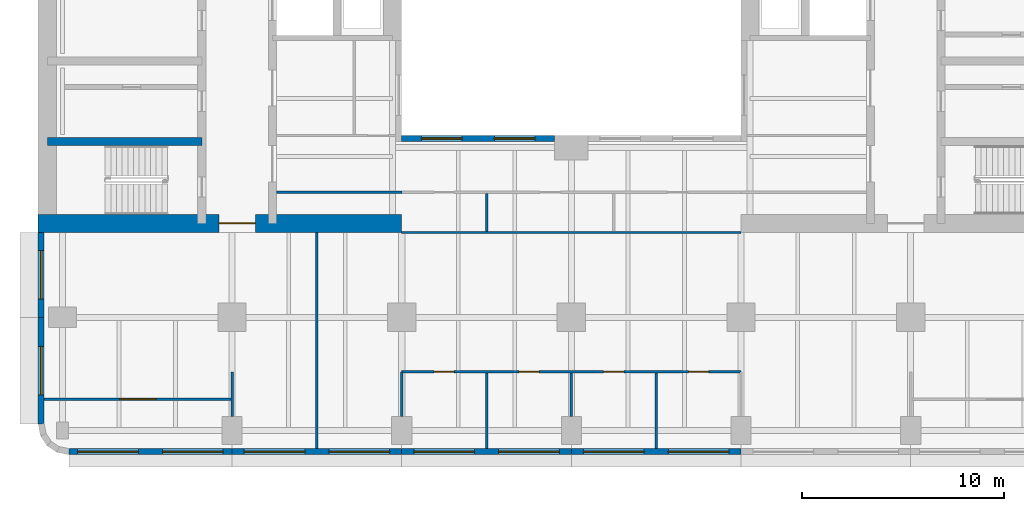
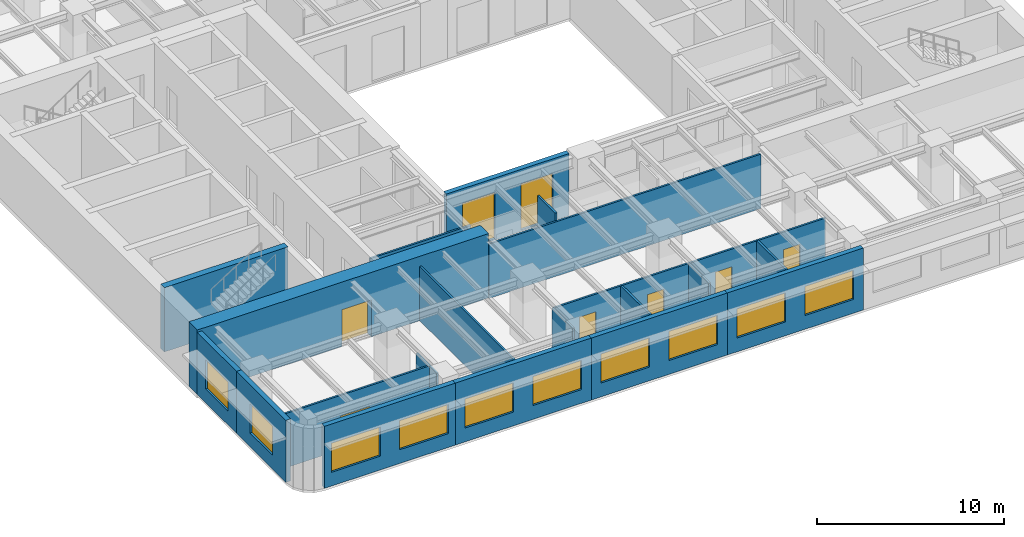
# One storey, part 3 of 11: 20 walls, 12 windows, 6 doors, 18 openings.
"""IFC4 building model written with IfcOpenShell, lengths in metres."""

import ifcopenshell
import ifcopenshell.guid

model = None  # the IFC model being written
_history = None  # IfcOwnerHistory: only IFC2X3 demands one
_inside = {}  # id of a spatial element -> (the spatial element, [elements in it])
_under = {}  # id of a project, library or spatial element -> (it, [spatial elements below it])
_declared = {}  # id of a project -> (the project, [libraries it declares])
_typed = {}  # id of a type object -> (the type object, [elements of that type])
_made_of = {}  # id of a material, layer set ... -> (it, [elements and type objects made of it])


def new_model(schema):
    """Start an empty IFC model of exactly this schema.

    Asked for "IFC4X3", IfcOpenShell would pick the latest addendum, in which some entities
    have other attributes; the version numbers below select the first issue.
    IFC2X3 requires an IfcOwnerHistory on every rooted entity: one is made here for all.
    """
    global model, _history
    if schema == "IFC4X3":
        model = ifcopenshell.file(schema_version=(4, 3, 0, 0))
    else:
        model = ifcopenshell.file(schema=schema)
    _inside.clear()
    _under.clear()
    _declared.clear()
    _typed.clear()
    _made_of.clear()
    _history = None
    if model.schema == "IFC2X3":
        org = make("IfcOrganization", Name="unknown")
        user = make(
            "IfcPersonAndOrganization",
            ThePerson=make("IfcPerson", FamilyName="unknown"),
            TheOrganization=org,
        )
        app = make(
            "IfcApplication",
            ApplicationDeveloper=org,
            Version="unknown",
            ApplicationFullName="unknown",
            ApplicationIdentifier="unknown",
        )
        _history = make(
            "IfcOwnerHistory",
            OwningUser=user,
            OwningApplication=app,
            ChangeAction="ADDED",
            CreationDate=0,
        )
    return model


def make(cls, **values):
    """One entity of the class cls with the attributes given. An attribute that is None is left unset."""
    return model.create_entity(
        cls, **{name: value for name, value in values.items() if value is not None}
    )


def rooted(cls, **values):
    """An entity with a GlobalId (a new one), such as an element, a storey or a relation."""
    return make(cls, GlobalId=ifcopenshell.guid.new(), OwnerHistory=_history, **values)


def si_unit(unit_type, name, prefix=None):
    """IfcSIUnit, for example si_unit("LENGTHUNIT", "METRE", prefix="MILLI")."""
    return make("IfcSIUnit", UnitType=unit_type, Prefix=prefix, Name=name)


def assignment(units):
    """IfcUnitAssignment: the units of a project."""
    return None if units is None else make("IfcUnitAssignment", Units=units)


def point(xyz):
    """IfcCartesianPoint."""
    return None if xyz is None else make("IfcCartesianPoint", Coordinates=xyz)


def direction(xyz):
    """IfcDirection."""
    return None if xyz is None else make("IfcDirection", DirectionRatios=xyz)


def frame(location, z_axis=None, x_axis=None):
    """IfcAxis2Placement3D, a coordinate frame: its origin and axes. An axis left out is left unset."""
    return make(
        "IfcAxis2Placement3D",
        Location=point(location),
        Axis=direction(z_axis),
        RefDirection=direction(x_axis),
    )


def frame_2d(location, x_axis=None):
    """IfcAxis2Placement2D, a coordinate frame in the plane: its origin and x axis."""
    return make(
        "IfcAxis2Placement2D", Location=point(location), RefDirection=direction(x_axis)
    )


def origin():
    """The frame at (0, 0, 0) with its axes left unset."""
    return frame((0.0, 0.0, 0.0))


def place(relative_to, where):
    """IfcLocalPlacement: puts the frame where relative to a parent placement (None: the world)."""
    return make(
        "IfcLocalPlacement", PlacementRelTo=relative_to, RelativePlacement=where
    )


def context(
    kind, dimensions, precision=None, world=None, true_north=None, identifier=None
):
    """IfcGeometricRepresentationContext, for example the 3D "Model" context."""
    return make(
        "IfcGeometricRepresentationContext",
        ContextIdentifier=identifier,
        ContextType=kind,
        CoordinateSpaceDimension=dimensions,
        Precision=precision,
        WorldCoordinateSystem=world,
        TrueNorth=true_north,
    )


def subcontext(parent, identifier, kind, view, scale=None):
    """IfcGeometricRepresentationSubContext, for example "Body" below "Model"."""
    return make(
        "IfcGeometricRepresentationSubContext",
        ContextIdentifier=identifier,
        ContextType=kind,
        ParentContext=parent,
        TargetScale=scale,
        TargetView=view,
    )


def project(units=None, contexts=None):
    """IfcProject with its units and contexts."""
    return rooted(
        "IfcProject",
        Name="project",
        RepresentationContexts=contexts,
        UnitsInContext=assignment(units),
    )


def spatial(cls, under=None, at=None, **own):
    """A site, building, storey or space (cls), placed at a placement, below another one or the project."""
    s = rooted(cls, ObjectPlacement=at, **own)
    if under is not None:
        _under.setdefault(under.id(), (under, []))[1].append(s)
    return s


def profile(cls, at=None, kind="AREA", **sizes):
    """A parametric profile (cls). Its sizes go by their IFC names, for example OverallWidth=200.0."""
    return make(cls, ProfileType=kind, Position=at, **sizes)


def rectangle(**sizes):
    """IfcRectangleProfileDef."""
    return profile("IfcRectangleProfileDef", **sizes)


def extrude(swept, where, along, depth):
    """IfcExtrudedAreaSolid: the profile swept, set in the frame where, extruded along a direction by depth."""
    return make(
        "IfcExtrudedAreaSolid",
        SweptArea=swept,
        Position=where,
        ExtrudedDirection=direction(along),
        Depth=depth,
    )


def shape(context_of_items, identifier, shape_type, items):
    """IfcShapeRepresentation: the items that make up one representation, for example the "Body"."""
    return make(
        "IfcShapeRepresentation",
        ContextOfItems=context_of_items,
        RepresentationIdentifier=identifier,
        RepresentationType=shape_type,
        Items=items,
    )


def material(Name=None, Category=None):
    """IfcMaterial."""
    return make("IfcMaterial", Name=Name, Category=Category)


def layer(
    of_material, thickness, ventilated=None, Name=None, Category=None, Priority=None
):
    """IfcMaterialLayer: one layer of a wall or slab, of a material (None: an air gap)."""
    return make(
        "IfcMaterialLayer",
        Material=of_material,
        LayerThickness=thickness,
        IsVentilated=ventilated,
        Name=Name,
        Category=Category,
        Priority=Priority,
    )


def layer_set(layers, Name=None):
    """IfcMaterialLayerSet."""
    return make("IfcMaterialLayerSet", MaterialLayers=layers, LayerSetName=Name)


def made_of(thing, what):
    """Note that an element or type object is made of a material, layer set ...; save() writes the relation."""
    if what is not None:
        _made_of.setdefault(what.id(), (what, []))[1].append(thing)
    return thing


def type_object(cls, material=None, **own):
    """A type object (cls), such as IfcWallType, which elements share."""
    return made_of(rooted(cls, **own), material)


def element(
    cls,
    number,
    at=None,
    inside=None,
    cuts=None,
    type_object=None,
    material=None,
    context=None,
    identifier="Body",
    shape_type=None,
    held_by="IfcProductDefinitionShape",
    body=None,
    shapes=None,
    **own,
):
    """One element of the class cls, such as IfcWall. Its Tag is "e" and its number.

    at: its placement. inside: the storey or other place that contains it. cuts: it is an
    opening in that element (IfcRelVoidsElement). A single representation is given by context,
    identifier, shape_type and body (its items); several are given by shapes. held_by: the class
    of the entity that holds the representations. save() writes the other relations.
    """
    e = rooted(cls, Tag="e%d" % number, ObjectPlacement=at, **own)
    if body is not None:
        shapes = [shape(context, identifier, shape_type, body)]
    if shapes is not None:
        e.Representation = make(held_by, Representations=shapes)
    if inside is not None:
        _inside.setdefault(inside.id(), (inside, []))[1].append(e)
    if cuts is not None:
        rooted(
            "IfcRelVoidsElement", RelatingBuildingElement=cuts, RelatedOpeningElement=e
        )
    if type_object is not None:
        _typed.setdefault(type_object.id(), (type_object, []))[1].append(e)
    return made_of(e, material)


def fill(opening, filler):
    """IfcRelFillsElement: the door or window that sits in an opening."""
    return rooted(
        "IfcRelFillsElement",
        RelatingOpeningElement=opening,
        RelatedBuildingElement=filler,
    )


def aggregate(whole, parts):
    """IfcRelAggregates: a whole, such as a stair, and the parts it consists of."""
    return rooted("IfcRelAggregates", RelatingObject=whole, RelatedObjects=parts)


def save(model, path):
    """Write the relations noted so far, then the file.

    IfcRelAggregates (storeys below a building ...), IfcRelContainedInSpatialStructure (elements
    in a storey), IfcRelDefinesByType, IfcRelAssociatesMaterial and IfcRelDeclares: one each for
    every whole, place, type object, material and project.
    """
    for whole, parts in _under.values():
        aggregate(whole, parts)
    for where, things in _inside.values():
        rooted(
            "IfcRelContainedInSpatialStructure",
            RelatedElements=things,
            RelatingStructure=where,
        )
    for kind, things in _typed.values():
        rooted("IfcRelDefinesByType", RelatedObjects=things, RelatingType=kind)
    for what, things in _made_of.values():
        rooted("IfcRelAssociatesMaterial", RelatedObjects=things, RelatingMaterial=what)
    for by, libraries in _declared.values():
        rooted("IfcRelDeclares", RelatingContext=by, RelatedDefinitions=libraries)
    model.write(path)


model = new_model("IFC4")

# Units and contexts
model_context = context("Model", 3, precision=1e-05, world=origin(), true_north=direction((0.0, 1.0)))
body_context = subcontext(model_context, "Body", "Model", "MODEL_VIEW")
ifc_project = project(units=[si_unit("LENGTHUNIT", "METRE"), si_unit("AREAUNIT", "SQUARE_METRE"), si_unit("VOLUMEUNIT", "CUBIC_METRE"), si_unit("PLANEANGLEUNIT", "RADIAN"), si_unit("MASSUNIT", "GRAM", prefix="KILO")], contexts=[model_context])

# Site, building, storey
site_placement = place(None, origin())
site = spatial("IfcSite", under=ifc_project, at=site_placement, CompositionType="ELEMENT")
building_placement = place(site_placement, origin())
building = spatial("IfcBuilding", under=site, at=building_placement, Name="Claustro Exchange Tower", CompositionType="ELEMENT")
storey_placement = place(building_placement, frame((0.0, 0.0, 159.60009765625)))
storey = spatial("IfcBuildingStorey", under=building, at=storey_placement, Name="L36", CompositionType="ELEMENT", Elevation=159.60009765625)

# Wall, opening, door
ifc_material_1 = material(Name="Laminated glass in aluminium frame", Category="aluminium")
ifc_layer_1 = layer(ifc_material_1, 0.1201171875)
ifc_layer_set_1 = layer_set([ifc_layer_1], Name="Laminated glass in aluminium frame")
wall_type_1 = type_object("IfcWallType", Name="P2 120 glazed partition", PredefinedType="PARTITIONING", material=ifc_layer_set_1)
wall_1_placement = place(storey_placement, frame((-0.902099609375, 4.35009765625, 0.0), z_axis=(0.0, 0.0, 1.0), x_axis=(1.0, 0.0, 0.0)))
wall_1 = element("IfcWall", 1, at=wall_1_placement, inside=storey, type_object=wall_type_1, Name="Partition P2 L36", PredefinedType="PARTITIONING", context=body_context, shape_type="SweptSolid", body=[
    extrude(rectangle(XDim=9.244140625, YDim=0.1201171875, at=frame_2d((4.6220703125, 0.0))), origin(), (0.0, 0.0, 1.0), 3.5498046875),
])
opening_1_placement = place(wall_1_placement, frame((3.751953125, 0.0, 0.0)))
opening_1 = element("IfcOpeningElement", 2, at=opening_1_placement, cuts=wall_1, Name="Opening D2", PredefinedType="OPENING", context=body_context, shape_type="SweptSolid", body=[
    extrude(rectangle(XDim=1.800048828125, YDim=2.199951171875, at=frame_2d((0.89990234375, 1.10009765625))), frame((0.0, 0.070068359375, 0.0), z_axis=(0.0, -1.0, 0.0), x_axis=(1.0, 0.0, 0.0)), (0.0, 0.0, 1.0), 0.14013671875),
])
ifc_material_2 = material(Name="Timber door, oak veneer", Category="wood")
door_type_1 = type_object("IfcDoorType", Name="D2 1800 x 2200 double door", OperationType="DOUBLE_DOOR_SINGLE_SWING", PredefinedType="DOOR", material=ifc_material_2)
door_1_placement = place(opening_1_placement, frame((1.800048828125, 0.0, 0.0), z_axis=(0.0, 0.0, 1.0), x_axis=(-1.0, 0.0, 0.0)))
door_1 = element("IfcDoor", 3, at=door_1_placement, inside=storey, type_object=door_type_1, Name="Double door D2 L36", OperationType="DOUBLE_DOOR_SINGLE_SWING", OverallHeight=2.199951171875, OverallWidth=1.800048828125, PredefinedType="DOOR", context=body_context, shape_type="SweptSolid", body=[
    extrude(rectangle(XDim=1.800048828125, YDim=2.199951171875, at=frame_2d((0.89990234375, 1.10009765625))), frame((0.0, 0.02490234375, 0.0), z_axis=(0.0, -1.0, 0.0), x_axis=(1.0, 0.0, 0.0)), (0.0, 0.0, 1.0), 0.050048828125),
])
fill(opening_1, door_1)

# Wall
wall_2_placement = place(storey_placement, frame((8.39990234375, 3.4990234375, 0.0), z_axis=(0.0, 0.0, 1.0), x_axis=(0.0, 1.0, 0.0)))
element("IfcWall", 4, at=wall_2_placement, inside=storey, type_object=wall_type_1, Name="Partition P2 L36", PredefinedType="PARTITIONING", context=body_context, shape_type="SweptSolid", body=[
    extrude(rectangle(XDim=2.200927734375, YDim=0.1201171875, at=frame_2d((1.1005859375, 0.0))), origin(), (0.0, 0.0, 1.0), 3.5498046875),
])

# Wall, openings, doors
wall_3_placement = place(storey_placement, frame((16.800048828125, 5.699951171875, 0.0), z_axis=(0.0, 0.0, 1.0), x_axis=(1.0, 0.0, 0.0)))
wall_3 = element("IfcWall", 5, at=wall_3_placement, inside=storey, type_object=wall_type_1, Name="Partition P2 L36", PredefinedType="PARTITIONING", context=body_context, shape_type="SweptSolid", body=[
    extrude(rectangle(XDim=16.800048828125, YDim=0.1201171875, at=frame_2d((8.39990234375, 0.0))), origin(), (0.0, 0.0, 1.0), 3.5498046875),
])
opening_2_placement = place(wall_3_placement, frame((1.60009765625, 0.0, 0.0)))
opening_2 = element("IfcOpeningElement", 6, at=opening_2_placement, cuts=wall_3, Name="Opening D7", PredefinedType="OPENING", context=body_context, shape_type="SweptSolid", body=[
    extrude(rectangle(XDim=1.0, YDim=2.39990234375, at=frame_2d((0.5, 1.199951171875))), frame((0.0, 0.070068359375, 0.0), z_axis=(0.0, -1.0, 0.0), x_axis=(1.0, 0.0, 0.0)), (0.0, 0.0, 1.0), 0.14013671875),
])
opening_3_placement = place(wall_3_placement, frame((5.800048828125, 0.0, 0.0)))
opening_3 = element("IfcOpeningElement", 7, at=opening_3_placement, cuts=wall_3, Name="Opening D7", PredefinedType="OPENING", context=body_context, shape_type="SweptSolid", body=[
    extrude(rectangle(XDim=1.0, YDim=2.39990234375, at=frame_2d((0.5, 1.199951171875))), frame((0.0, 0.070068359375, 0.0), z_axis=(0.0, -1.0, 0.0), x_axis=(1.0, 0.0, 0.0)), (0.0, 0.0, 1.0), 0.14013671875),
])
opening_4_placement = place(wall_3_placement, frame((10.0, 0.0, 0.0)))
opening_4 = element("IfcOpeningElement", 8, at=opening_4_placement, cuts=wall_3, Name="Opening D7", PredefinedType="OPENING", context=body_context, shape_type="SweptSolid", body=[
    extrude(rectangle(XDim=1.0, YDim=2.39990234375, at=frame_2d((0.5, 1.199951171875))), frame((0.0, 0.070068359375, 0.0), z_axis=(0.0, -1.0, 0.0), x_axis=(1.0, 0.0, 0.0)), (0.0, 0.0, 1.0), 0.14013671875),
])
opening_5_placement = place(wall_3_placement, frame((14.199951171875, 0.0, 0.0)))
opening_5 = element("IfcOpeningElement", 9, at=opening_5_placement, cuts=wall_3, Name="Opening D7", PredefinedType="OPENING", context=body_context, shape_type="SweptSolid", body=[
    extrude(rectangle(XDim=1.0, YDim=2.39990234375, at=frame_2d((0.5, 1.199951171875))), frame((0.0, 0.070068359375, 0.0), z_axis=(0.0, -1.0, 0.0), x_axis=(1.0, 0.0, 0.0)), (0.0, 0.0, 1.0), 0.14013671875),
])
ifc_material_3 = material(Name="Glass door in aluminium frame", Category="aluminium")
door_type_2 = type_object("IfcDoorType", Name="D7 1000 x 2400 glazed door", OperationType="SINGLE_SWING_LEFT", PredefinedType="DOOR", material=ifc_material_3)
door_2_placement = place(opening_2_placement, frame((1.0, 0.0, 0.0), z_axis=(0.0, 0.0, 1.0), x_axis=(-1.0, 0.0, 0.0)))
door_2 = element("IfcDoor", 10, at=door_2_placement, inside=storey, type_object=door_type_2, Name="Door D7 L36", OperationType="SINGLE_SWING_LEFT", OverallHeight=2.39990234375, OverallWidth=1.0, PredefinedType="DOOR", context=body_context, shape_type="SweptSolid", body=[
    extrude(rectangle(XDim=1.0, YDim=2.39990234375, at=frame_2d((0.5, 1.199951171875))), frame((0.0, 0.02490234375, 0.0), z_axis=(0.0, -1.0, 0.0), x_axis=(1.0, 0.0, 0.0)), (0.0, 0.0, 1.0), 0.050048828125),
])
fill(opening_2, door_2)
door_3_placement = place(opening_3_placement, frame((1.0, 0.0, 0.0), z_axis=(0.0, 0.0, 1.0), x_axis=(-1.0, 0.0, 0.0)))
door_3 = element("IfcDoor", 11, at=door_3_placement, inside=storey, type_object=door_type_2, Name="Door D7 L36", OperationType="SINGLE_SWING_LEFT", OverallHeight=2.39990234375, OverallWidth=1.0, PredefinedType="DOOR", context=body_context, shape_type="SweptSolid", body=[
    extrude(rectangle(XDim=1.0, YDim=2.39990234375, at=frame_2d((0.5, 1.199951171875))), frame((0.0, 0.02490234375, 0.0), z_axis=(0.0, -1.0, 0.0), x_axis=(1.0, 0.0, 0.0)), (0.0, 0.0, 1.0), 0.050048828125),
])
fill(opening_3, door_3)
door_4_placement = place(opening_4_placement, frame((1.0, 0.0, 0.0), z_axis=(0.0, 0.0, 1.0), x_axis=(-1.0, 0.0, 0.0)))
door_4 = element("IfcDoor", 12, at=door_4_placement, inside=storey, type_object=door_type_2, Name="Door D7 L36", OperationType="SINGLE_SWING_LEFT", OverallHeight=2.39990234375, OverallWidth=1.0, PredefinedType="DOOR", context=body_context, shape_type="SweptSolid", body=[
    extrude(rectangle(XDim=1.0, YDim=2.39990234375, at=frame_2d((0.5, 1.199951171875))), frame((0.0, 0.02490234375, 0.0), z_axis=(0.0, -1.0, 0.0), x_axis=(1.0, 0.0, 0.0)), (0.0, 0.0, 1.0), 0.050048828125),
])
fill(opening_4, door_4)
door_5_placement = place(opening_5_placement, frame((1.0, 0.0, 0.0), z_axis=(0.0, 0.0, 1.0), x_axis=(-1.0, 0.0, 0.0)))
door_5 = element("IfcDoor", 13, at=door_5_placement, inside=storey, type_object=door_type_2, Name="Door D7 L36", OperationType="SINGLE_SWING_RIGHT", OverallHeight=2.39990234375, OverallWidth=1.0, PredefinedType="DOOR", context=body_context, shape_type="SweptSolid", body=[
    extrude(rectangle(XDim=1.0, YDim=2.39990234375, at=frame_2d((0.5, 1.199951171875))), frame((0.0, 0.02490234375, 0.0), z_axis=(0.0, -1.0, 0.0), x_axis=(1.0, 0.0, 0.0)), (0.0, 0.0, 1.0), 0.050048828125),
])
fill(opening_5, door_5)

# Walls
wall_4_placement = place(storey_placement, frame((16.800048828125, 3.4990234375, 0.0), z_axis=(0.0, 0.0, 1.0), x_axis=(0.0, 1.0, 0.0)))
element("IfcWall", 14, at=wall_4_placement, inside=storey, type_object=wall_type_1, Name="Partition P2 L36", PredefinedType="PARTITIONING", context=body_context, shape_type="SweptSolid", body=[
    extrude(rectangle(XDim=2.200927734375, YDim=0.1201171875, at=frame_2d((1.1005859375, 0.0))), origin(), (0.0, 0.0, 1.0), 3.5498046875),
])
wall_5_placement = place(storey_placement, frame((21.0, 1.89794921875, 0.0), z_axis=(0.0, 0.0, 1.0), x_axis=(0.0, 1.0, 0.0)))
element("IfcWall", 15, at=wall_5_placement, inside=storey, type_object=wall_type_1, Name="Partition P2 L36", PredefinedType="PARTITIONING", context=body_context, shape_type="SweptSolid", body=[
    extrude(rectangle(XDim=3.744140625, YDim=0.1201171875, at=frame_2d((1.8720703125, 0.0))), origin(), (0.0, 0.0, 1.0), 3.559814453125),
])
wall_6_placement = place(storey_placement, frame((25.199951171875, 3.4990234375, 0.0), z_axis=(0.0, 0.0, 1.0), x_axis=(0.0, 1.0, 0.0)))
element("IfcWall", 16, at=wall_6_placement, inside=storey, type_object=wall_type_1, Name="Partition P2 L36", PredefinedType="PARTITIONING", context=body_context, shape_type="SweptSolid", body=[
    extrude(rectangle(XDim=2.14306640625, YDim=0.1201171875, at=frame_2d((1.071533203125, 0.0))), origin(), (0.0, 0.0, 1.0), 3.5498046875),
])
wall_7_placement = place(storey_placement, frame((29.39990234375, 1.89794921875, 0.0), z_axis=(0.0, 0.0, 1.0), x_axis=(0.0, 1.0, 0.0)))
element("IfcWall", 17, at=wall_7_placement, inside=storey, type_object=wall_type_1, Name="Partition P2 L36", PredefinedType="PARTITIONING", context=body_context, shape_type="SweptSolid", body=[
    extrude(rectangle(XDim=3.744140625, YDim=0.1201171875, at=frame_2d((1.8720703125, 0.0))), origin(), (0.0, 0.0, 1.0), 3.559814453125),
])
wall_8_placement = place(storey_placement, frame((12.60009765625, 1.89794921875, 0.0), z_axis=(0.0, 0.0, 1.0), x_axis=(0.0, 1.0, 0.0)))
element("IfcWall", 18, at=wall_8_placement, inside=storey, type_object=wall_type_1, Name="Partition P2 L36", PredefinedType="PARTITIONING", context=body_context, shape_type="SweptSolid", body=[
    extrude(rectangle(XDim=10.7041015625, YDim=0.1201171875, at=frame_2d((5.35205078125, 0.0))), origin(), (0.0, 0.0, 1.0), 3.5498046875),
])
wall_9_placement = place(storey_placement, frame((10.597900390625, 14.60009765625, 0.0), z_axis=(0.0, 0.0, 1.0), x_axis=(1.0, 0.0, 0.0)))
element("IfcWall", 19, at=wall_9_placement, inside=storey, type_object=wall_type_1, Name="Partition P2 L36", PredefinedType="PARTITIONING", context=body_context, shape_type="SweptSolid", body=[
    extrude(rectangle(XDim=6.2041015625, YDim=0.1201171875, at=frame_2d((3.10205078125, 0.0))), origin(), (0.0, 0.0, 1.0), 3.5498046875),
])
wall_10_placement = place(storey_placement, frame((21.0, 12.657958984375, 0.0), z_axis=(0.0, 0.0, 1.0), x_axis=(0.0, 1.0, 0.0)))
element("IfcWall", 20, at=wall_10_placement, inside=storey, type_object=wall_type_1, Name="Partition P2 L36", PredefinedType="PARTITIONING", context=body_context, shape_type="SweptSolid", body=[
    extrude(rectangle(XDim=1.884033203125, YDim=0.1201171875, at=frame_2d((0.94189453125, 0.0))), origin(), (0.0, 0.0, 1.0), 4.0498046875),
])
wall_11_placement = place(storey_placement, frame((16.800048828125, 12.60009765625, 0.0), z_axis=(0.0, 0.0, 1.0), x_axis=(1.0, 0.0, 0.0)))
element("IfcWall", 21, at=wall_11_placement, inside=storey, type_object=wall_type_1, Name="Partition P2 L36", PredefinedType="PARTITIONING", context=body_context, shape_type="SweptSolid", body=[
    extrude(rectangle(XDim=16.800048828125, YDim=0.1201171875, at=frame_2d((8.39990234375, 0.0))), origin(), (0.0, 0.0, 1.0), 3.5498046875),
])

# Wall, openings, windows
ifc_material_4 = material(Name="Concrete HA-40 (C40/50), precast, white cement, acid-etched", Category="concrete")
ifc_layer_2 = layer(ifc_material_4, 0.300048828125)
ifc_layer_set_2 = layer_set([ifc_layer_2], Name="Concrete HA-40 (C40/50), precast, white cement, acid-etched")
wall_type_2 = type_object("IfcWallType", Name="PC1 300 precast concrete pier panel", PredefinedType="SOLIDWALL", material=ifc_layer_set_2)
wall_12_placement = place(storey_placement, frame((33.60009765625, 1.75, 0.0), z_axis=(0.0, 0.0, 1.0), x_axis=(-1.0, 0.0, 0.0)))
wall_12 = element("IfcWall", 22, at=wall_12_placement, inside=storey, type_object=wall_type_2, Name="Precast pier panel PC1 L36", PredefinedType="SOLIDWALL", context=body_context, shape_type="SweptSolid", body=[
    extrude(rectangle(XDim=8.400146484375, YDim=0.300048828125, at=frame_2d((4.2001953125, 0.0))), origin(), (0.0, 0.0, 1.0), 4.0498046875),
])
opening_6_placement = place(wall_12_placement, frame((0.60009765625, 0.0, 0.89990234375)))
opening_6 = element("IfcOpeningElement", 23, at=opening_6_placement, cuts=wall_12, Name="Opening W1", PredefinedType="OPENING", context=body_context, shape_type="SweptSolid", body=[
    extrude(rectangle(XDim=3.0, YDim=1.89990234375, at=frame_2d((1.5, 0.949951171875))), frame((0.0, 0.159912109375, 0.0), z_axis=(0.0, -1.0, 0.0), x_axis=(1.0, 0.0, 0.0)), (0.0, 0.0, 1.0), 0.320068359375),
])
opening_7_placement = place(wall_12_placement, frame((4.800048828125, 0.0, 0.89990234375)))
opening_7 = element("IfcOpeningElement", 24, at=opening_7_placement, cuts=wall_12, Name="Opening W1", PredefinedType="OPENING", context=body_context, shape_type="SweptSolid", body=[
    extrude(rectangle(XDim=3.0, YDim=1.89990234375, at=frame_2d((1.5, 0.949951171875))), frame((0.0, 0.159912109375, 0.0), z_axis=(0.0, -1.0, 0.0), x_axis=(1.0, 0.0, 0.0)), (0.0, 0.0, 1.0), 0.320068359375),
])
ifc_material_5 = material(Name="Aluminium frame, clear double glazing", Category="aluminium")
window_type_1 = type_object("IfcWindowType", Name="W1 3000 x 1900 window", PartitioningType="SINGLE_PANEL", PredefinedType="WINDOW", material=ifc_material_5)
window_1_placement = place(opening_6_placement, origin())
window_1 = element("IfcWindow", 25, at=window_1_placement, inside=storey, type_object=window_type_1, Name="Window W1 L36", OverallHeight=1.89990234375, OverallWidth=3.0, PartitioningType="SINGLE_PANEL", PredefinedType="WINDOW", context=body_context, shape_type="SweptSolid", body=[
    extrude(rectangle(XDim=3.0, YDim=1.89990234375, at=frame_2d((1.5, 0.949951171875))), frame((0.0, 0.030029296875, 0.0), z_axis=(0.0, -1.0, 0.0), x_axis=(1.0, 0.0, 0.0)), (0.0, 0.0, 1.0), 0.06005859375),
])
fill(opening_6, window_1)
window_2_placement = place(opening_7_placement, origin())
window_2 = element("IfcWindow", 26, at=window_2_placement, inside=storey, type_object=window_type_1, Name="Window W1 L36", OverallHeight=1.89990234375, OverallWidth=3.0, PartitioningType="SINGLE_PANEL", PredefinedType="WINDOW", context=body_context, shape_type="SweptSolid", body=[
    extrude(rectangle(XDim=3.0, YDim=1.89990234375, at=frame_2d((1.5, 0.949951171875))), frame((0.0, 0.030029296875, 0.0), z_axis=(0.0, -1.0, 0.0), x_axis=(1.0, 0.0, 0.0)), (0.0, 0.0, 1.0), 0.06005859375),
])
fill(opening_7, window_2)

wall_13_placement = place(storey_placement, frame((25.199951171875, 1.75, 0.0), z_axis=(0.0, 0.0, 1.0), x_axis=(-1.0, 0.0, 0.0)))
wall_13 = element("IfcWall", 27, at=wall_13_placement, inside=storey, type_object=wall_type_2, Name="Precast pier panel PC1 L36", PredefinedType="SOLIDWALL", context=body_context, shape_type="SweptSolid", body=[
    extrude(rectangle(XDim=8.39990234375, YDim=0.300048828125, at=frame_2d((4.199951171875, 0.0))), origin(), (0.0, 0.0, 1.0), 4.0498046875),
])
opening_8_placement = place(wall_13_placement, frame((0.60009765625, 0.0, 0.89990234375)))
opening_8 = element("IfcOpeningElement", 28, at=opening_8_placement, cuts=wall_13, Name="Opening W1", PredefinedType="OPENING", context=body_context, shape_type="SweptSolid", body=[
    extrude(rectangle(XDim=3.0, YDim=1.89990234375, at=frame_2d((1.5, 0.949951171875))), frame((0.0, 0.159912109375, 0.0), z_axis=(0.0, -1.0, 0.0), x_axis=(1.0, 0.0, 0.0)), (0.0, 0.0, 1.0), 0.320068359375),
])
opening_9_placement = place(wall_13_placement, frame((4.800048828125, 0.0, 0.89990234375)))
opening_9 = element("IfcOpeningElement", 29, at=opening_9_placement, cuts=wall_13, Name="Opening W1", PredefinedType="OPENING", context=body_context, shape_type="SweptSolid", body=[
    extrude(rectangle(XDim=3.0, YDim=1.89990234375, at=frame_2d((1.5, 0.949951171875))), frame((0.0, 0.159912109375, 0.0), z_axis=(0.0, -1.0, 0.0), x_axis=(1.0, 0.0, 0.0)), (0.0, 0.0, 1.0), 0.320068359375),
])
window_3_placement = place(opening_8_placement, origin())
window_3 = element("IfcWindow", 30, at=window_3_placement, inside=storey, type_object=window_type_1, Name="Window W1 L36", OverallHeight=1.89990234375, OverallWidth=3.0, PartitioningType="SINGLE_PANEL", PredefinedType="WINDOW", context=body_context, shape_type="SweptSolid", body=[
    extrude(rectangle(XDim=3.0, YDim=1.89990234375, at=frame_2d((1.5, 0.949951171875))), frame((0.0, 0.030029296875, 0.0), z_axis=(0.0, -1.0, 0.0), x_axis=(1.0, 0.0, 0.0)), (0.0, 0.0, 1.0), 0.06005859375),
])
fill(opening_8, window_3)
window_4_placement = place(opening_9_placement, origin())
window_4 = element("IfcWindow", 31, at=window_4_placement, inside=storey, type_object=window_type_1, Name="Window W1 L36", OverallHeight=1.89990234375, OverallWidth=3.0, PartitioningType="SINGLE_PANEL", PredefinedType="WINDOW", context=body_context, shape_type="SweptSolid", body=[
    extrude(rectangle(XDim=3.0, YDim=1.89990234375, at=frame_2d((1.5, 0.949951171875))), frame((0.0, 0.030029296875, 0.0), z_axis=(0.0, -1.0, 0.0), x_axis=(1.0, 0.0, 0.0)), (0.0, 0.0, 1.0), 0.06005859375),
])
fill(opening_9, window_4)

wall_14_placement = place(storey_placement, frame((16.800048828125, 1.75, 0.0), z_axis=(0.0, 0.0, 1.0), x_axis=(-1.0, 0.0, 0.0)))
wall_14 = element("IfcWall", 32, at=wall_14_placement, inside=storey, type_object=wall_type_2, Name="Precast pier panel PC1 L36", PredefinedType="SOLIDWALL", context=body_context, shape_type="SweptSolid", body=[
    extrude(rectangle(XDim=8.400146484375, YDim=0.300048828125, at=frame_2d((4.2001953125, 0.0))), origin(), (0.0, 0.0, 1.0), 4.0498046875),
])
opening_10_placement = place(wall_14_placement, frame((0.60009765625, 0.0, 0.89990234375)))
opening_10 = element("IfcOpeningElement", 33, at=opening_10_placement, cuts=wall_14, Name="Opening W1", PredefinedType="OPENING", context=body_context, shape_type="SweptSolid", body=[
    extrude(rectangle(XDim=3.0, YDim=1.89990234375, at=frame_2d((1.5, 0.949951171875))), frame((0.0, 0.159912109375, 0.0), z_axis=(0.0, -1.0, 0.0), x_axis=(1.0, 0.0, 0.0)), (0.0, 0.0, 1.0), 0.320068359375),
])
opening_11_placement = place(wall_14_placement, frame((4.800048828125, 0.0, 0.89990234375)))
opening_11 = element("IfcOpeningElement", 34, at=opening_11_placement, cuts=wall_14, Name="Opening W1", PredefinedType="OPENING", context=body_context, shape_type="SweptSolid", body=[
    extrude(rectangle(XDim=3.0, YDim=1.89990234375, at=frame_2d((1.5, 0.949951171875))), frame((0.0, 0.159912109375, 0.0), z_axis=(0.0, -1.0, 0.0), x_axis=(1.0, 0.0, 0.0)), (0.0, 0.0, 1.0), 0.320068359375),
])
window_5_placement = place(opening_10_placement, origin())
window_5 = element("IfcWindow", 35, at=window_5_placement, inside=storey, type_object=window_type_1, Name="Window W1 L36", OverallHeight=1.89990234375, OverallWidth=3.0, PartitioningType="SINGLE_PANEL", PredefinedType="WINDOW", context=body_context, shape_type="SweptSolid", body=[
    extrude(rectangle(XDim=3.0, YDim=1.89990234375, at=frame_2d((1.5, 0.949951171875))), frame((0.0, 0.030029296875, 0.0), z_axis=(0.0, -1.0, 0.0), x_axis=(1.0, 0.0, 0.0)), (0.0, 0.0, 1.0), 0.06005859375),
])
fill(opening_10, window_5)
window_6_placement = place(opening_11_placement, origin())
window_6 = element("IfcWindow", 36, at=window_6_placement, inside=storey, type_object=window_type_1, Name="Window W1 L36", OverallHeight=1.89990234375, OverallWidth=3.0, PartitioningType="SINGLE_PANEL", PredefinedType="WINDOW", context=body_context, shape_type="SweptSolid", body=[
    extrude(rectangle(XDim=3.0, YDim=1.89990234375, at=frame_2d((1.5, 0.949951171875))), frame((0.0, 0.030029296875, 0.0), z_axis=(0.0, -1.0, 0.0), x_axis=(1.0, 0.0, 0.0)), (0.0, 0.0, 1.0), 0.06005859375),
])
fill(opening_11, window_6)

wall_15_placement = place(storey_placement, frame((8.39990234375, 1.75, 0.0), z_axis=(0.0, 0.0, 1.0), x_axis=(-1.0, 0.0, 0.0)))
wall_15 = element("IfcWall", 37, at=wall_15_placement, inside=storey, type_object=wall_type_2, Name="Precast pier panel PC1 L36", PredefinedType="SOLIDWALL", context=body_context, shape_type="SweptSolid", body=[
    extrude(rectangle(XDim=8.085205078125, YDim=0.300048828125, at=frame_2d((4.04248046875, 0.0))), origin(), (0.0, 0.0, 1.0), 4.0498046875),
])
opening_12_placement = place(wall_15_placement, frame((0.442626953125, 0.0, 0.89990234375)))
opening_12 = element("IfcOpeningElement", 38, at=opening_12_placement, cuts=wall_15, Name="Opening W1", PredefinedType="OPENING", context=body_context, shape_type="SweptSolid", body=[
    extrude(rectangle(XDim=3.0, YDim=1.89990234375, at=frame_2d((1.5, 0.949951171875))), frame((0.0, 0.159912109375, 0.0), z_axis=(0.0, -1.0, 0.0), x_axis=(1.0, 0.0, 0.0)), (0.0, 0.0, 1.0), 0.320068359375),
])
opening_13_placement = place(wall_15_placement, frame((4.642578125, 0.0, 0.89990234375)))
opening_13 = element("IfcOpeningElement", 39, at=opening_13_placement, cuts=wall_15, Name="Opening W1", PredefinedType="OPENING", context=body_context, shape_type="SweptSolid", body=[
    extrude(rectangle(XDim=3.0, YDim=1.89990234375, at=frame_2d((1.5, 0.949951171875))), frame((0.0, 0.159912109375, 0.0), z_axis=(0.0, -1.0, 0.0), x_axis=(1.0, 0.0, 0.0)), (0.0, 0.0, 1.0), 0.320068359375),
])
window_7_placement = place(opening_12_placement, origin())
window_7 = element("IfcWindow", 40, at=window_7_placement, inside=storey, type_object=window_type_1, Name="Window W1 L36", OverallHeight=1.89990234375, OverallWidth=3.0, PartitioningType="SINGLE_PANEL", PredefinedType="WINDOW", context=body_context, shape_type="SweptSolid", body=[
    extrude(rectangle(XDim=3.0, YDim=1.89990234375, at=frame_2d((1.5, 0.949951171875))), frame((0.0, 0.030029296875, 0.0), z_axis=(0.0, -1.0, 0.0), x_axis=(1.0, 0.0, 0.0)), (0.0, 0.0, 1.0), 0.06005859375),
])
fill(opening_12, window_7)
window_8_placement = place(opening_13_placement, origin())
window_8 = element("IfcWindow", 41, at=window_8_placement, inside=storey, type_object=window_type_1, Name="Window W1 L36", OverallHeight=1.89990234375, OverallWidth=3.0, PartitioningType="SINGLE_PANEL", PredefinedType="WINDOW", context=body_context, shape_type="SweptSolid", body=[
    extrude(rectangle(XDim=3.0, YDim=1.89990234375, at=frame_2d((1.5, 0.949951171875))), frame((0.0, 0.030029296875, 0.0), z_axis=(0.0, -1.0, 0.0), x_axis=(1.0, 0.0, 0.0)), (0.0, 0.0, 1.0), 0.06005859375),
])
fill(opening_13, window_8)

# Wall, opening, window
wall_16_placement = place(storey_placement, frame((-1.050048828125, 3.11474609375, 0.0), z_axis=(0.0, 0.0, 1.0), x_axis=(0.0, 1.0, 0.0)))
wall_16 = element("IfcWall", 42, at=wall_16_placement, inside=storey, type_object=wall_type_2, Name="Precast pier panel PC1 L36", PredefinedType="SOLIDWALL", context=body_context, shape_type="SweptSolid", body=[
    extrude(rectangle(XDim=5.28515625, YDim=0.300048828125, at=frame_2d((2.642578125, 0.0))), origin(), (0.0, 0.0, 1.0), 4.0498046875),
])
opening_14_placement = place(wall_16_placement, frame((1.442626953125, 0.0, 0.89990234375)))
opening_14 = element("IfcOpeningElement", 43, at=opening_14_placement, cuts=wall_16, Name="Opening W2", PredefinedType="OPENING", context=body_context, shape_type="SweptSolid", body=[
    extrude(rectangle(XDim=2.39990234375, YDim=1.89990234375, at=frame_2d((1.199951171875, 0.949951171875))), frame((0.0, 0.159912109375, 0.0), z_axis=(0.0, -1.0, 0.0), x_axis=(1.0, 0.0, 0.0)), (0.0, 0.0, 1.0), 0.320068359375),
])
ifc_material_6 = material(Name="Aluminium frame, clear double glazing", Category="aluminium")
window_type_2 = type_object("IfcWindowType", Name="W2 2400 x 1900 window", PartitioningType="SINGLE_PANEL", PredefinedType="WINDOW", material=ifc_material_6)
window_9_placement = place(opening_14_placement, origin())
window_9 = element("IfcWindow", 44, at=window_9_placement, inside=storey, type_object=window_type_2, Name="Window W2 L36", OverallHeight=1.89990234375, OverallWidth=2.39990234375, PartitioningType="SINGLE_PANEL", PredefinedType="WINDOW", context=body_context, shape_type="SweptSolid", body=[
    extrude(rectangle(XDim=2.39990234375, YDim=1.89990234375, at=frame_2d((1.199951171875, 0.949951171875))), frame((0.0, 0.030029296875, 0.0), z_axis=(0.0, -1.0, 0.0), x_axis=(1.0, 0.0, 0.0)), (0.0, 0.0, 1.0), 0.06005859375),
])
fill(opening_14, window_9)

wall_17_placement = place(storey_placement, frame((-1.050048828125, 8.39990234375, 0.0), z_axis=(0.0, 0.0, 1.0), x_axis=(0.0, 1.0, 0.0)))
wall_17 = element("IfcWall", 45, at=wall_17_placement, inside=storey, type_object=wall_type_2, Name="Precast pier panel PC1 L36", PredefinedType="SOLIDWALL", context=body_context, shape_type="SweptSolid", body=[
    extrude(rectangle(XDim=4.2001953125, YDim=0.300048828125, at=frame_2d((2.10009765625, 0.0))), origin(), (0.0, 0.0, 1.0), 4.0498046875),
])
opening_15_placement = place(wall_17_placement, frame((0.89990234375, 0.0, 0.89990234375)))
opening_15 = element("IfcOpeningElement", 46, at=opening_15_placement, cuts=wall_17, Name="Opening W2", PredefinedType="OPENING", context=body_context, shape_type="SweptSolid", body=[
    extrude(rectangle(XDim=2.39990234375, YDim=1.89990234375, at=frame_2d((1.199951171875, 0.949951171875))), frame((0.0, 0.159912109375, 0.0), z_axis=(0.0, -1.0, 0.0), x_axis=(1.0, 0.0, 0.0)), (0.0, 0.0, 1.0), 0.320068359375),
])
window_10_placement = place(opening_15_placement, origin())
window_10 = element("IfcWindow", 47, at=window_10_placement, inside=storey, type_object=window_type_2, Name="Window W2 L36", OverallHeight=1.89990234375, OverallWidth=2.39990234375, PartitioningType="SINGLE_PANEL", PredefinedType="WINDOW", context=body_context, shape_type="SweptSolid", body=[
    extrude(rectangle(XDim=2.39990234375, YDim=1.89990234375, at=frame_2d((1.199951171875, 0.949951171875))), frame((0.0, 0.030029296875, 0.0), z_axis=(0.0, -1.0, 0.0), x_axis=(1.0, 0.0, 0.0)), (0.0, 0.0, 1.0), 0.06005859375),
])
fill(opening_15, window_10)

# Wall, openings, windows
wall_18_placement = place(storey_placement, frame((16.800048828125, 17.25, 0.0), z_axis=(0.0, 0.0, 1.0), x_axis=(1.0, 0.0, 0.0)))
wall_18 = element("IfcWall", 48, at=wall_18_placement, inside=storey, type_object=wall_type_2, Name="Precast pier panel PC1 L36", PredefinedType="SOLIDWALL", context=body_context, shape_type="SweptSolid", body=[
    extrude(rectangle(XDim=7.574951171875, YDim=0.300048828125, at=frame_2d((3.78759765625, 0.0))), origin(), (0.0, 0.0, 1.0), 4.0498046875),
])
opening_16_placement = place(wall_18_placement, frame((0.987548828125, 0.0, 0.10009765625)))
opening_16 = element("IfcOpeningElement", 49, at=opening_16_placement, cuts=wall_18, Name="Opening W-A", PredefinedType="OPENING", context=body_context, shape_type="SweptSolid", body=[
    extrude(rectangle(XDim=2.0, YDim=3.0, at=frame_2d((1.0, 1.5))), frame((0.0, 0.159912109375, 0.0), z_axis=(0.0, -1.0, 0.0), x_axis=(1.0, 0.0, 0.0)), (0.0, 0.0, 1.0), 0.320068359375),
])
opening_17_placement = place(wall_18_placement, frame((4.58740234375, 0.0, 0.10009765625)))
opening_17 = element("IfcOpeningElement", 50, at=opening_17_placement, cuts=wall_18, Name="Opening W-A", PredefinedType="OPENING", context=body_context, shape_type="SweptSolid", body=[
    extrude(rectangle(XDim=2.0, YDim=3.0, at=frame_2d((1.0, 1.5))), frame((0.0, 0.159912109375, 0.0), z_axis=(0.0, -1.0, 0.0), x_axis=(1.0, 0.0, 0.0)), (0.0, 0.0, 1.0), 0.320068359375),
])
ifc_material_7 = material(Name="Aluminium frame, clear double glazing", Category="aluminium")
window_type_3 = type_object("IfcWindowType", Name="W-A 2000 x 3000 arcade window", PartitioningType="SINGLE_PANEL", PredefinedType="WINDOW", material=ifc_material_7)
window_11_placement = place(opening_16_placement, origin())
window_11 = element("IfcWindow", 51, at=window_11_placement, inside=storey, type_object=window_type_3, Name="Window W-A L36", OverallHeight=3.0, OverallWidth=2.0, PartitioningType="SINGLE_PANEL", PredefinedType="WINDOW", context=body_context, shape_type="SweptSolid", body=[
    extrude(rectangle(XDim=2.0, YDim=3.0, at=frame_2d((1.0, 1.5))), frame((0.0, 0.030029296875, 0.0), z_axis=(0.0, -1.0, 0.0), x_axis=(1.0, 0.0, 0.0)), (0.0, 0.0, 1.0), 0.06005859375),
])
fill(opening_16, window_11)
window_12_placement = place(opening_17_placement, origin())
window_12 = element("IfcWindow", 52, at=window_12_placement, inside=storey, type_object=window_type_3, Name="Window W-A L36", OverallHeight=3.0, OverallWidth=2.0, PartitioningType="SINGLE_PANEL", PredefinedType="WINDOW", context=body_context, shape_type="SweptSolid", body=[
    extrude(rectangle(XDim=2.0, YDim=3.0, at=frame_2d((1.0, 1.5))), frame((0.0, 0.030029296875, 0.0), z_axis=(0.0, -1.0, 0.0), x_axis=(1.0, 0.0, 0.0)), (0.0, 0.0, 1.0), 0.06005859375),
])
fill(opening_17, window_12)

# Wall, opening, door
ifc_material_8 = material(Name="Concrete HA-70 (C70/85)", Category="concrete")
ifc_layer_3 = layer(ifc_material_8, 0.89990234375)
ifc_layer_set_3 = layer_set([ifc_layer_3], Name="Concrete HA-70 (C70/85)")
wall_type_3 = type_object("IfcWallType", Name="SW1 900 core shear wall", PredefinedType="SHEAR", material=ifc_layer_set_3)
wall_19_placement = place(storey_placement, frame((-1.199951171875, 13.050048828125, 0.0), z_axis=(0.0, 0.0, 1.0), x_axis=(1.0, 0.0, 0.0)))
wall_19 = element("IfcWall", 53, at=wall_19_placement, inside=storey, type_object=wall_type_3, Name="Core wall SW1 W core S face L36", PredefinedType="SHEAR", context=body_context, shape_type="SweptSolid", body=[
    extrude(rectangle(XDim=18.0, YDim=0.89990234375, at=frame_2d((9.0, 0.0))), origin(), (0.0, 0.0, 1.0), 4.199951171875),
])
opening_18_placement = place(wall_19_placement, frame((8.949951171875, 0.0, 0.0)))
opening_18 = element("IfcOpeningElement", 54, at=opening_18_placement, cuts=wall_19, Name="Opening D3", PredefinedType="OPENING", context=body_context, shape_type="SweptSolid", body=[
    extrude(rectangle(XDim=1.800048828125, YDim=2.39990234375, at=frame_2d((0.89990234375, 1.199951171875))), frame((0.0, 0.4599609375, 0.0), z_axis=(0.0, -1.0, 0.0), x_axis=(1.0, 0.0, 0.0)), (0.0, 0.0, 1.0), 0.919921875),
])
ifc_material_9 = material(Name="Steel fire door, painted", Category="steel")
door_type_3 = type_object("IfcDoorType", Name="D3 1800 x 2400 fire-rated lobby double door", OperationType="DOUBLE_DOOR_SINGLE_SWING", PredefinedType="DOOR", material=ifc_material_9)
door_6_placement = place(opening_18_placement, frame((1.800048828125, 0.0, 0.0), z_axis=(0.0, 0.0, 1.0), x_axis=(-1.0, 0.0, 0.0)))
door_6 = element("IfcDoor", 55, at=door_6_placement, inside=storey, type_object=door_type_3, Name="Lift lobby door D3 L36", OperationType="DOUBLE_DOOR_SINGLE_SWING", OverallHeight=2.39990234375, OverallWidth=1.800048828125, PredefinedType="DOOR", context=body_context, shape_type="SweptSolid", body=[
    extrude(rectangle(XDim=1.800048828125, YDim=2.39990234375, at=frame_2d((0.89990234375, 1.199951171875))), frame((0.0, 0.02490234375, 0.0), z_axis=(0.0, -1.0, 0.0), x_axis=(1.0, 0.0, 0.0)), (0.0, 0.0, 1.0), 0.050048828125),
])
fill(opening_18, door_6)

# Wall
ifc_material_10 = material(Name="Concrete HA-50 (C50/60)", Category="concrete")
ifc_layer_4 = layer(ifc_material_10, 0.39990234375)
ifc_layer_set_4 = layer_set([ifc_layer_4], Name="Concrete HA-50 (C50/60)")
wall_type_4 = type_object("IfcWallType", Name="SW4 400 internal core wall", PredefinedType="SHEAR", material=ifc_layer_set_4)
wall_20_placement = place(storey_placement, frame((-0.75, 17.10009765625, 0.0), z_axis=(0.0, 0.0, 1.0), x_axis=(1.0, 0.0, 0.0)))
element("IfcWall", 56, at=wall_20_placement, inside=storey, type_object=wall_type_4, Name="Internal core wall SW4 W core L36", PredefinedType="SHEAR", context=body_context, shape_type="SweptSolid", body=[
    extrude(rectangle(XDim=7.64990234375, YDim=0.39990234375, at=frame_2d((3.824951171875, 0.0))), origin(), (0.0, 0.0, 1.0), 4.199951171875),
])

save(model, "model.ifc")
